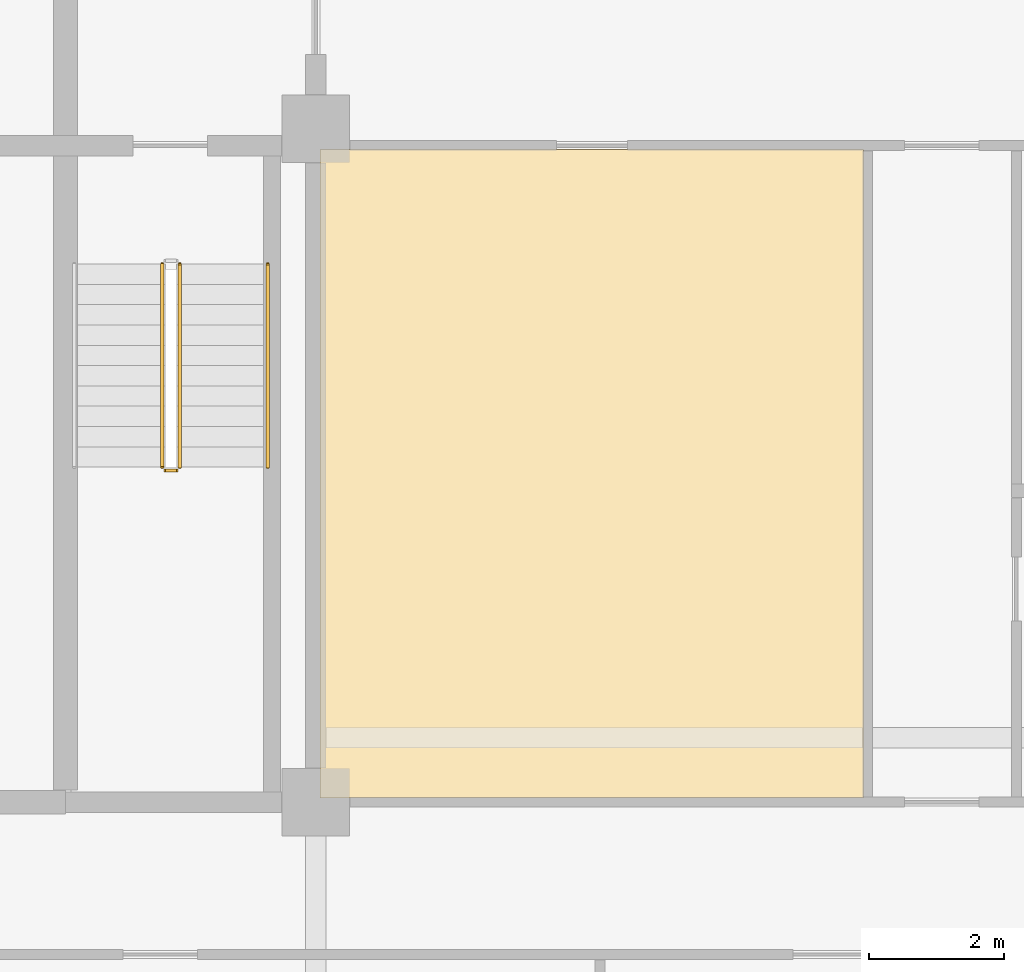
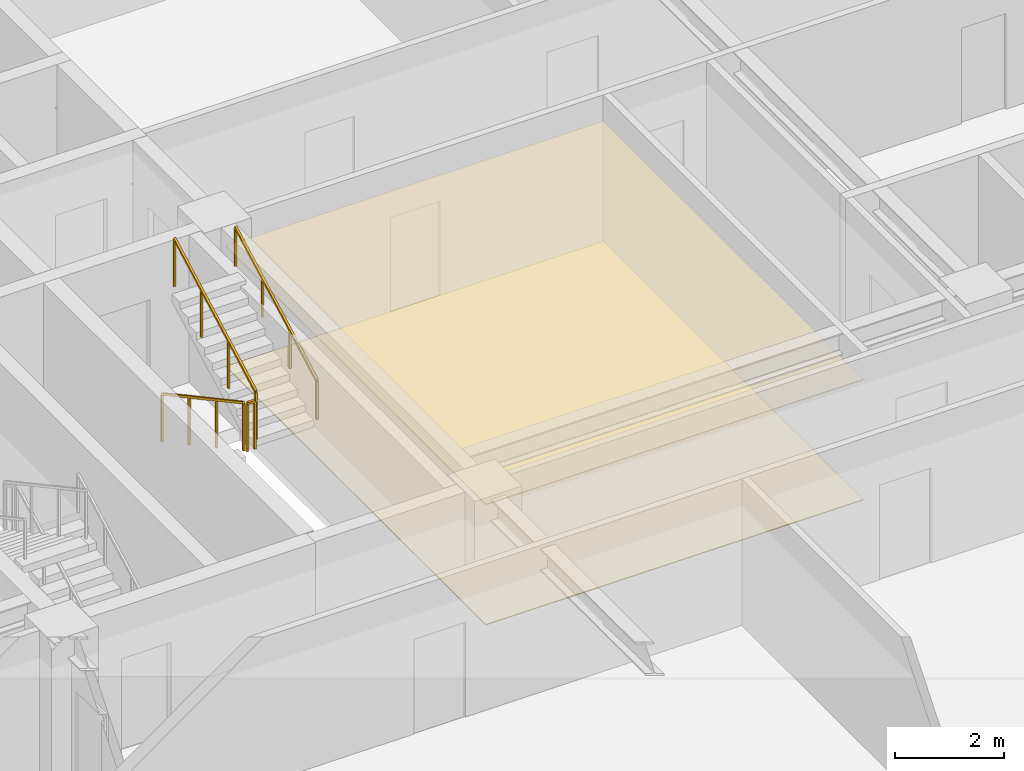
# One storey, part 16 of 20: 4 railings, 2 coverings.
"""IFC4 building model written with IfcOpenShell, lengths in metres."""

from ifc_helpers import new_model, si_unit, direction, frame, origin, origin_2d, place, context, subcontext, project, spatial, polyline, rectangle, outline, extrude, material, layer, layer_set, type_object, element, save


model = new_model("IFC4")

# Units and contexts
model_context = context("Model", 3, precision=1e-05, world=origin(), true_north=direction((0.0, 1.0)))
body_context = subcontext(model_context, "Body", "Model", "MODEL_VIEW")
ifc_project = project(units=[si_unit("LENGTHUNIT", "METRE"), si_unit("AREAUNIT", "SQUARE_METRE"), si_unit("VOLUMEUNIT", "CUBIC_METRE"), si_unit("PLANEANGLEUNIT", "RADIAN"), si_unit("MASSUNIT", "GRAM", prefix="KILO")], contexts=[model_context])

# Site, building, storey
site_placement = place(None, origin())
site = spatial("IfcSite", under=ifc_project, at=site_placement, CompositionType="ELEMENT")
building_placement = place(site_placement, origin())
building = spatial("IfcBuilding", under=site, at=building_placement, Name="Zulmaris Gate Convention Tower", CompositionType="ELEMENT")
storey_placement = place(building_placement, frame((0.0, 0.0, 142.769775390625)))
storey = spatial("IfcBuildingStorey", under=building, at=storey_placement, Name="L36", CompositionType="ELEMENT", Elevation=142.769775390625)

# Coverings
ifc_material_1 = material(Name="Mineral Fibre Acoustic Ceiling Tile")
ifc_layer_1 = layer(ifc_material_1, 0.02001953125, Name="Mineral Fibre Acoustic Ceiling Tile")
ifc_layer_set_1 = layer_set([ifc_layer_1], Name="Mineral Fibre Acoustic Ceiling Tile")
covering_type_1 = type_object("IfcCoveringType", Name="CLG-ACOUSTIC-600", PredefinedType="CEILING", material=ifc_layer_set_1)
covering_1_placement = place(storey_placement, frame((0.0, 0.0, 2.703125)))
element("IfcCovering", 1, at=covering_1_placement, inside=storey, type_object=covering_type_1, Name="CLG-L36-R42", PredefinedType="CEILING", context=body_context, shape_type="SweptSolid", body=[
    extrude(outline(polyline([(-10.93994140625, -9.889892578125), (-2.909912109375, -9.889892578125), (-2.909912109375, -0.31005859375), (-10.93994140625, -0.31005859375), (-10.93994140625, -9.889892578125)])), origin(), (0.0, 0.0, 1.0), 0.02001953125),
])
ifc_material_2 = material(Name="Woven Acoustic Wool Carpet Tile")
ifc_layer_2 = layer(ifc_material_2, 0.02001953125, Name="Woven Acoustic Wool Carpet Tile")
ifc_layer_set_2 = layer_set([ifc_layer_2], Name="Woven Acoustic Wool Carpet Tile")
covering_type_2 = type_object("IfcCoveringType", Name="FLR-CARPET-12", PredefinedType="FLOORING", material=ifc_layer_set_2)
covering_2_placement = place(storey_placement, origin())
element("IfcCovering", 2, at=covering_2_placement, inside=storey, type_object=covering_type_2, Name="FLR-L36-R42", PredefinedType="FLOORING", context=body_context, shape_type="SweptSolid", body=[
    extrude(outline(polyline([(-10.93994140625, -9.889892578125), (-2.909912109375, -9.889892578125), (-2.909912109375, -0.31005859375), (-10.93994140625, -0.31005859375), (-10.93994140625, -9.889892578125)])), origin(), (0.0, 0.0, 1.0), 0.02001953125),
])

# Railings
ifc_material_3 = material(Name="Painted Galvanised Steel", Category="steel")
railing_type_1 = type_object("IfcRailingType", Name="RL-STG-1150", PredefinedType="GUARDRAIL", material=ifc_material_3)
railing_1_placement = place(storey_placement, frame((-13.27001953125, -2.0, 0.162353515625)))
element("IfcRailing", 3, at=railing_1_placement, inside=storey, type_object=railing_type_1, Name="L36 ST-1 stair guard 1", PredefinedType="GUARDRAIL", context=body_context, shape_type="SweptSolid", body=[
    extrude(rectangle(XDim=0.048095703125, YDim=0.048095703125, at=origin_2d()), frame((0.0, 0.0, 1.076171875), z_axis=(0.0, -0.879591569277, 0.475729619907), x_axis=(1.0, 0.0, 0.0)), (0.0, 0.0, 1.0), 3.41064453125),
    extrude(rectangle(XDim=0.0419921875, YDim=0.0419921875, at=origin_2d()), origin(), (0.0, 0.0, 1.0), 1.052001953125),
    extrude(rectangle(XDim=0.0419921875, YDim=0.0419921875, at=origin_2d()), frame((0.0, -1.0, 0.540771484375)), (0.0, 0.0, 1.0), 1.052001953125),
    extrude(rectangle(XDim=0.0419921875, YDim=0.0419921875, at=origin_2d()), frame((0.0, -2.0, 1.081787109375)), (0.0, 0.0, 1.0), 1.052001953125),
    extrude(rectangle(XDim=0.0419921875, YDim=0.0419921875, at=origin_2d()), frame((0.0, -3.0, 1.62255859375)), (0.0, 0.0, 1.0), 1.052001953125),
])
railing_2_placement = place(storey_placement, frame((-13.219970703125, -5.050048828125, 1.784912109375)))
element("IfcRailing", 4, at=railing_2_placement, inside=storey, type_object=railing_type_1, Name="L36 ST-1 stair guard 2", PredefinedType="GUARDRAIL", context=body_context, shape_type="SweptSolid", body=[
    extrude(rectangle(XDim=0.048095703125, YDim=0.048095703125, at=origin_2d()), frame((0.0, 0.0, 1.076171875), z_axis=(1.0, 0.0, 0.0), x_axis=(0.0, 1.0, 0.0)), (0.0, 0.0, 1.0), 0.159912109375),
    extrude(rectangle(XDim=0.0419921875, YDim=0.0419921875, at=origin_2d()), origin(), (0.0, 0.0, 1.0), 1.052001953125),
    extrude(rectangle(XDim=0.0419921875, YDim=0.0419921875, at=origin_2d()), frame((0.159912109375, 0.0, 0.0)), (0.0, 0.0, 1.0), 1.052001953125),
])
railing_3_placement = place(storey_placement, frame((-13.010009765625, -5.0, 1.947265625)))
element("IfcRailing", 5, at=railing_3_placement, inside=storey, type_object=railing_type_1, Name="L36 ST-1 stair guard 3", PredefinedType="GUARDRAIL", context=body_context, shape_type="SweptSolid", body=[
    extrude(rectangle(XDim=0.048095703125, YDim=0.048095703125, at=origin_2d()), frame((0.0, 0.0, 1.076171875), z_axis=(0.0, 0.8795616155, 0.475784998228), x_axis=(-1.0, 0.0, 0.0)), (0.0, 0.0, 1.0), 3.410888671875),
    extrude(rectangle(XDim=0.0419921875, YDim=0.0419921875, at=origin_2d()), origin(), (0.0, 0.0, 1.0), 1.052001953125),
    extrude(rectangle(XDim=0.0419921875, YDim=0.0419921875, at=origin_2d()), frame((0.0, 1.0, 0.541015625)), (0.0, 0.0, 1.0), 1.052001953125),
    extrude(rectangle(XDim=0.0419921875, YDim=0.0419921875, at=origin_2d()), frame((0.0, 2.0, 1.081787109375)), (0.0, 0.0, 1.0), 1.052001953125),
    extrude(rectangle(XDim=0.0419921875, YDim=0.0419921875, at=origin_2d()), frame((0.0, 3.0, 1.622802734375)), (0.0, 0.0, 1.0), 1.052001953125),
])
ifc_material_4 = material(Name="Brushed Stainless Steel", Category="steel")
railing_type_2 = type_object("IfcRailingType", Name="RL-STH-900", PredefinedType="HANDRAIL", material=ifc_material_4)
railing_4_placement = place(storey_placement, frame((-11.7099609375, -5.0, 1.947265625)))
element("IfcRailing", 6, at=railing_4_placement, inside=storey, type_object=railing_type_2, Name="L36 ST-1 stair handrail 2", PredefinedType="HANDRAIL", context=body_context, shape_type="SweptSolid", body=[
    extrude(rectangle(XDim=0.048095703125, YDim=0.048095703125, at=origin_2d()), frame((0.0, 0.0, 0.8759765625), z_axis=(0.0, 0.8795616155, 0.475784998228), x_axis=(-1.0, 0.0, 0.0)), (0.0, 0.0, 1.0), 3.410888671875),
    extrude(rectangle(XDim=0.0419921875, YDim=0.0419921875, at=origin_2d()), origin(), (0.0, 0.0, 1.0), 0.851806640625),
    extrude(rectangle(XDim=0.0419921875, YDim=0.0419921875, at=origin_2d()), frame((0.0, 1.0, 0.541015625)), (0.0, 0.0, 1.0), 0.851806640625),
    extrude(rectangle(XDim=0.0419921875, YDim=0.0419921875, at=origin_2d()), frame((0.0, 2.0, 1.081787109375)), (0.0, 0.0, 1.0), 0.851806640625),
    extrude(rectangle(XDim=0.0419921875, YDim=0.0419921875, at=origin_2d()), frame((0.0, 3.0, 1.622802734375)), (0.0, 0.0, 1.0), 0.851806640625),
])

save(model, "model.ifc")
